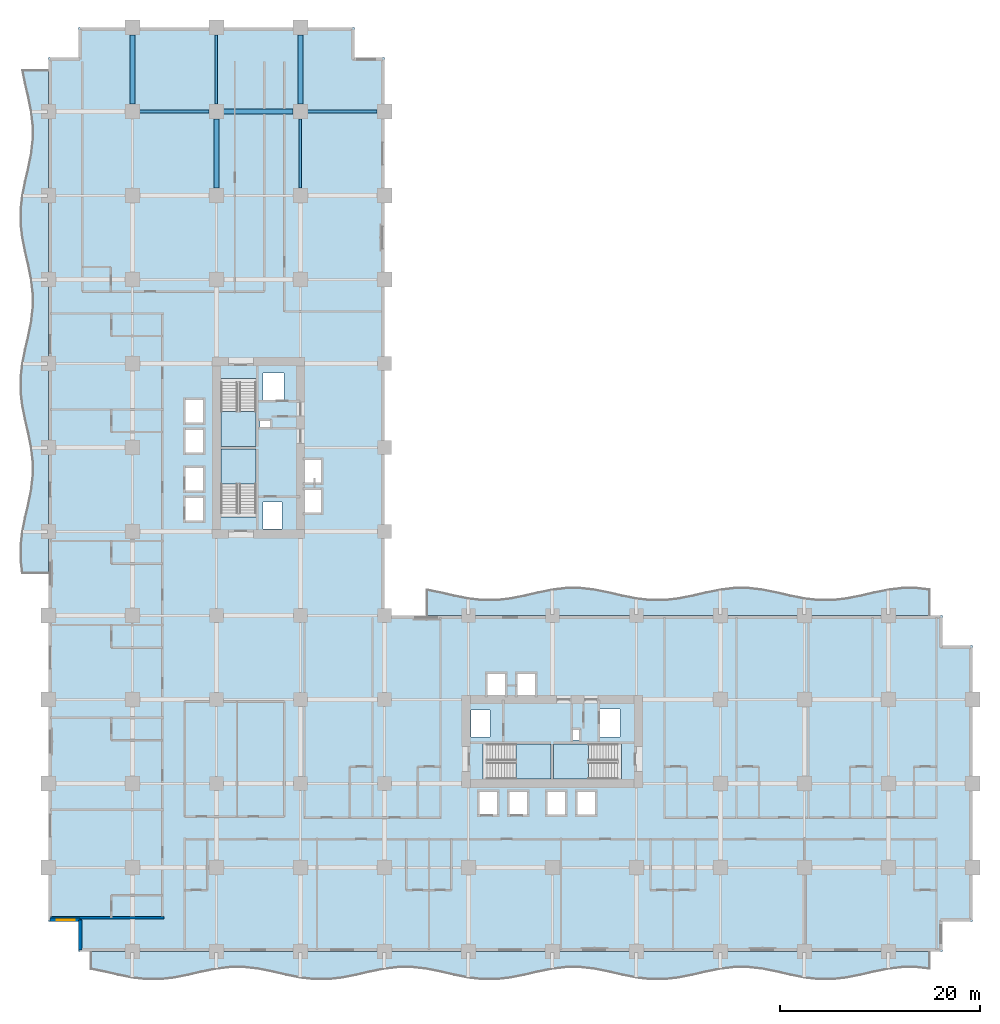
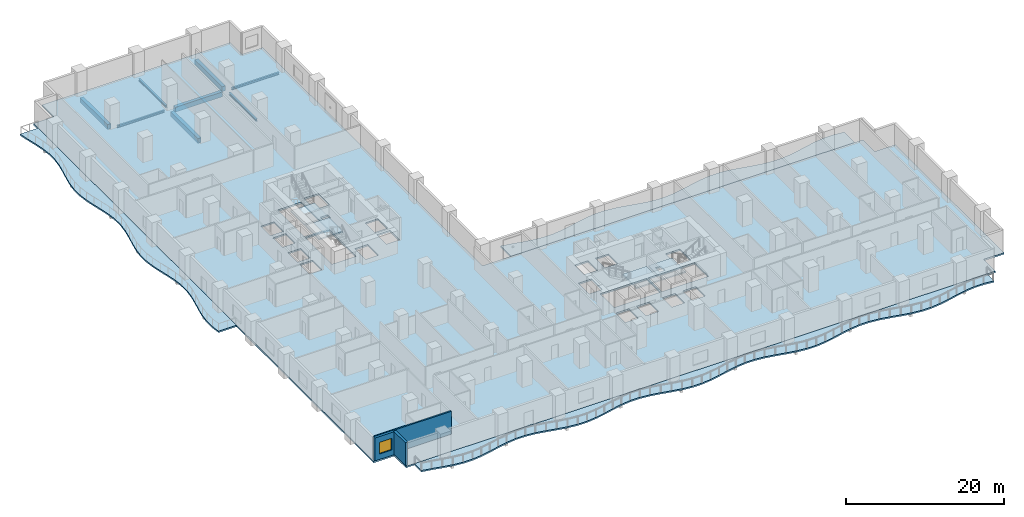
# One storey, part 3 of 22: 8 beams, 8 slabs, 3 walls, 1 window, 1 opening, 4 elements without a shape of their own.
"""IFC4 building model written with IfcOpenShell, lengths in metres."""

from ifc_helpers import new_model, si_unit, direction, frame, frame_2d, origin, origin_2d, place, context, subcontext, project, spatial, polyline, rectangle, i_section, outline, extrude, material, layer, layer_set, material_profile, profile_set, type_object, element, fill, aggregate, save


model = new_model("IFC4")

# Units and contexts
model_context = context("Model", 3, precision=1e-05, world=origin(), true_north=direction((0.0, 1.0)))
body_context = subcontext(model_context, "Body", "Model", "MODEL_VIEW")
ifc_project = project(units=[si_unit("LENGTHUNIT", "METRE"), si_unit("AREAUNIT", "SQUARE_METRE"), si_unit("VOLUMEUNIT", "CUBIC_METRE"), si_unit("PLANEANGLEUNIT", "RADIAN"), si_unit("MASSUNIT", "GRAM", prefix="KILO")], contexts=[model_context])

# Site, building, storey
site_placement = place(None, origin())
site = spatial("IfcSite", under=ifc_project, at=site_placement, CompositionType="ELEMENT")
building_placement = place(site_placement, origin())
building = spatial("IfcBuilding", under=site, at=building_placement, Name="Koriwani Terraces Tower", CompositionType="ELEMENT")
storey_placement = place(building_placement, frame((0.0, 0.0, 43.39990234375)))
storey = spatial("IfcBuildingStorey", under=building, at=storey_placement, Name="L09", CompositionType="ELEMENT", Elevation=43.39990234375)

# Beams
ifc_material_1 = material(Name="Concrete C50/60", Category="concrete")
ifc_material_profile_1 = material_profile(ifc_material_1, rectangle(XDim=0.5, YDim=0.75, at=origin_2d()), Name="Concrete C50/60", Category="LoadBearing")
ifc_profile_set_1 = profile_set([ifc_material_profile_1], Name="Concrete C50/60")
beam_type_1 = type_object("IfcBeamType", Name="BEAM_RC_GRID_500X750", PredefinedType="BEAM", material=ifc_profile_set_1)
for number, where, z_axis, x_axis, name in (
    (1, (17.530029296875, 84.0, -0.625), (1.0, 0.0, 0.0), (0.0, 1.0, 0.0), "L09 Grid Beam K (16.8-25.2m)"),
    (2, (8.39990234375, 84.72998046875, -0.625), (0.0, 1.0, 0.0), (-1.0, 0.0, 0.0), "L09 Grid Beam 2 (84.0-92.4m)"),
    (3, (16.800048828125, 76.330078125, -0.625), (0.0, 1.0, 0.0), (-1.0, 0.0, 0.0), "L09 Grid Beam 3 (75.6-84.0m)"),
    (4, (25.199951171875, 84.72998046875, -0.625), (0.0, 1.0, 0.0), (-1.0, 0.0, 0.0), "L09 Grid Beam 4 (84.0-92.4m)"),
):
    element("IfcBeam", number, at=place(storey_placement, frame(where, z_axis=z_axis, x_axis=x_axis)), inside=storey, type_object=beam_type_1, Name=name, PredefinedType="BEAM", context=body_context, shape_type="SweptSolid", body=[
        extrude(rectangle(XDim=0.5, YDim=0.75, at=origin_2d()), origin(), (0.0, 0.0, 1.0), 6.93994140625),
    ])
ifc_material_2 = material(Name="Steel ASTM A572 Grade 50", Category="steel")
ifc_material_profile_2 = material_profile(ifc_material_2, i_section(OverallWidth=0.257080078125, OverallDepth=0.363037109375, WebThickness=0.012939453125, FlangeThickness=0.021728515625, at=origin_2d()), Name="Steel ASTM A572 Grade 50", Category="LoadBearing")
ifc_profile_set_2 = profile_set([ifc_material_profile_2], Name="Steel ASTM A572 Grade 50")
beam_type_2 = type_object("IfcBeamType", Name="STEEL_BEAM_W360X122", PredefinedType="JOIST", material=ifc_profile_set_2)
for number, where, z_axis, x_axis, name in (
    (5, (9.1298828125, 84.0, -0.431396484375), (1.0, 0.0, 0.0), (0.0, 1.0, 0.0), "L09 Grid Beam K (8.4-16.8m)"),
    (6, (25.929931640625, 84.0, -0.431396484375), (1.0, 0.0, 0.0), (0.0, 1.0, 0.0), "L09 Grid Beam K (25.2-33.6m)"),
):
    element("IfcBeam", number, at=place(storey_placement, frame(where, z_axis=z_axis, x_axis=x_axis)), inside=storey, type_object=beam_type_2, Name=name, PredefinedType="JOIST", context=body_context, shape_type="SweptSolid", body=[
        extrude(i_section(OverallWidth=0.257080078125, OverallDepth=0.363037109375, WebThickness=0.012939453125, FlangeThickness=0.021728515625, at=origin_2d()), origin(), (0.0, 0.0, 1.0), 6.940185546875),
    ])
for number, where, z_axis, x_axis, name in (
    (7, (16.800048828125, 84.72998046875, -0.431396484375), (0.0, 1.0, 0.0), (-1.0, 0.0, 0.0), "L09 Grid Beam 3 (84.0-92.4m)"),
    (8, (25.199951171875, 76.330078125, -0.431396484375), (0.0, 1.0, 0.0), (-1.0, 0.0, 0.0), "L09 Grid Beam 4 (75.6-84.0m)"),
):
    element("IfcBeam", number, at=place(storey_placement, frame(where, z_axis=z_axis, x_axis=x_axis)), inside=storey, type_object=beam_type_2, Name=name, PredefinedType="JOIST", context=body_context, shape_type="SweptSolid", body=[
        extrude(i_section(OverallWidth=0.257080078125, OverallDepth=0.363037109375, WebThickness=0.012939453125, FlangeThickness=0.021728515625, at=origin_2d()), origin(), (0.0, 0.0, 1.0), 6.93994140625),
    ])

# Slabs
ifc_material_3 = material(Name="Concrete C40/50", Category="concrete")
ifc_layer_1 = layer(ifc_material_3, 0.219970703125, Name="Concrete C40/50")
ifc_layer_set_1 = layer_set([ifc_layer_1], Name="Concrete C40/50")
slab_type_1 = type_object("IfcSlabType", Name="SLAB_BALCONY_220", PredefinedType="FLOOR", material=ifc_layer_set_1)
slab_1_placement = place(storey_placement, frame((0.0, 0.0, -0.219970703125)))
element("IfcSlab", 9, at=slab_1_placement, inside=storey, type_object=slab_type_1, Name="L09 Quilted Circular-Arc Balcony (S)", PredefinedType="FLOOR", context=body_context, shape_type="SweptSolid", body=[
    extrude(outline(polyline([(4.199951171875, 0.0), (5.60009765625, 0.0), (7.0, 0.0), (8.39990234375, 0.0), (9.800048828125, 0.0), (11.199951171875, 0.0), (12.60009765625, 0.0), (14.0, 0.0), (15.39990234375, 0.0), (16.800048828125, 0.0), (18.199951171875, 0.0), (19.60009765625, 0.0), (21.0, 0.0), (22.39990234375, 0.0), (23.800048828125, 0.0), (25.199951171875, 0.0), (26.60009765625, 0.0), (28.0, 0.0), (29.39990234375, 0.0), (30.800048828125, 0.0), (32.199951171875, 0.0), (33.60009765625, 0.0), (35.0, 0.0), (36.39990234375, 0.0), (37.800048828125, 0.0), (39.199951171875, 0.0), (40.60009765625, 0.0), (42.0, 0.0), (43.39990234375, 0.0), (44.800048828125, 0.0), (46.199951171875, 0.0), (47.60009765625, 0.0), (49.0, 0.0), (50.39990234375, 0.0), (51.800048828125, 0.0), (53.199951171875, 0.0), (54.60009765625, 0.0), (56.0, 0.0), (57.39990234375, 0.0), (58.800048828125, 0.0), (60.199951171875, 0.0), (61.60009765625, 0.0), (63.0, 0.0), (64.39990234375, 0.0), (65.800048828125, 0.0), (67.199951171875, 0.0), (68.60009765625, 0.0), (70.0, 0.0), (71.39990234375, 0.0), (72.800048828125, 0.0), (74.199951171875, 0.0), (75.60009765625, 0.0), (77.0, 0.0), (78.39990234375, 0.0), (79.800048828125, 0.0), (81.199951171875, 0.0), (82.60009765625, 0.0), (84.0, 0.0), (85.39990234375, 0.0), (86.800048828125, 0.0), (88.199951171875, 0.0), (88.199951171875, -1.783203125), (86.800048828125, -1.621337890625), (85.39990234375, -1.621337890625), (84.0, -1.783203125), (82.60009765625, -2.063232421875), (81.199951171875, -2.38671875), (79.800048828125, -2.6669921875), (78.39990234375, -2.82861328125), (77.0, -2.82861328125), (75.60009765625, -2.6669921875), (74.199951171875, -2.38671875), (72.800048828125, -2.063232421875), (71.39990234375, -1.783203125), (70.0, -1.621337890625), (68.60009765625, -1.621337890625), (67.199951171875, -1.783203125), (65.800048828125, -2.063232421875), (64.39990234375, -2.38671875), (63.0, -2.6669921875), (61.60009765625, -2.82861328125), (60.199951171875, -2.82861328125), (58.800048828125, -2.6669921875), (57.39990234375, -2.38671875), (56.0, -2.063232421875), (54.60009765625, -1.783203125), (53.199951171875, -1.621337890625), (51.800048828125, -1.621337890625), (50.39990234375, -1.783203125), (49.0, -2.063232421875), (47.60009765625, -2.38671875), (46.199951171875, -2.6669921875), (44.800048828125, -2.82861328125), (43.39990234375, -2.82861328125), (42.0, -2.6669921875), (40.60009765625, -2.38671875), (39.199951171875, -2.063232421875), (37.800048828125, -1.783203125), (36.39990234375, -1.621337890625), (35.0, -1.621337890625), (33.60009765625, -1.783203125), (32.199951171875, -2.063232421875), (30.800048828125, -2.38671875), (29.39990234375, -2.6669921875), (28.0, -2.82861328125), (26.60009765625, -2.82861328125), (25.199951171875, -2.6669921875), (23.800048828125, -2.38671875), (22.39990234375, -2.063232421875), (21.0, -1.783203125), (19.60009765625, -1.621337890625), (18.199951171875, -1.621337890625), (16.800048828125, -1.783203125), (15.39990234375, -2.063232421875), (14.0, -2.38671875), (12.60009765625, -2.6669921875), (11.199951171875, -2.82861328125), (9.800048828125, -2.82861328125), (8.39990234375, -2.6669921875), (7.0, -2.38671875), (5.60009765625, -2.063232421875), (4.199951171875, -1.783203125), (4.199951171875, 0.0)])), origin(), (0.0, 0.0, 1.0), 0.219970703125),
])
slab_2_placement = place(storey_placement, frame((0.0, 0.0, -0.219970703125)))
element("IfcSlab", 10, at=slab_2_placement, inside=storey, type_object=slab_type_1, Name="L09 Quilted Circular-Arc Balcony (W)", PredefinedType="FLOOR", context=body_context, shape_type="SweptSolid", body=[
    extrude(outline(polyline([(0.0, 37.800048828125), (0.0, 39.199951171875), (0.0, 40.60009765625), (0.0, 42.0), (0.0, 43.39990234375), (0.0, 44.800048828125), (0.0, 46.199951171875), (0.0, 47.60009765625), (0.0, 49.0), (0.0, 50.39990234375), (0.0, 51.800048828125), (0.0, 53.199951171875), (0.0, 54.60009765625), (0.0, 56.0), (0.0, 57.39990234375), (0.0, 58.800048828125), (0.0, 60.199951171875), (0.0, 61.60009765625), (0.0, 63.0), (0.0, 64.39990234375), (0.0, 65.800048828125), (0.0, 67.199951171875), (0.0, 68.60009765625), (0.0, 70.0), (0.0, 71.39990234375), (0.0, 72.800048828125), (0.0, 74.199951171875), (0.0, 75.60009765625), (0.0, 77.0), (0.0, 78.39990234375), (0.0, 79.800048828125), (0.0, 81.199951171875), (0.0, 82.60009765625), (0.0, 84.0), (0.0, 85.39990234375), (0.0, 86.800048828125), (0.0, 88.199951171875), (-2.6669921875, 88.199951171875), (-2.38671875, 86.800048828125), (-2.063232421875, 85.39990234375), (-1.783203125, 84.0), (-1.621337890625, 82.60009765625), (-1.621337890625, 81.199951171875), (-1.783203125, 79.800048828125), (-2.063232421875, 78.39990234375), (-2.38671875, 77.0), (-2.6669921875, 75.60009765625), (-2.82861328125, 74.199951171875), (-2.82861328125, 72.800048828125), (-2.6669921875, 71.39990234375), (-2.38671875, 70.0), (-2.063232421875, 68.60009765625), (-1.783203125, 67.199951171875), (-1.621337890625, 65.800048828125), (-1.621337890625, 64.39990234375), (-1.783203125, 63.0), (-2.063232421875, 61.60009765625), (-2.38671875, 60.199951171875), (-2.6669921875, 58.800048828125), (-2.82861328125, 57.39990234375), (-2.82861328125, 56.0), (-2.6669921875, 54.60009765625), (-2.38671875, 53.199951171875), (-2.063232421875, 51.800048828125), (-1.783203125, 50.39990234375), (-1.621337890625, 49.0), (-1.621337890625, 47.60009765625), (-1.783203125, 46.199951171875), (-2.063232421875, 44.800048828125), (-2.38671875, 43.39990234375), (-2.6669921875, 42.0), (-2.82861328125, 40.60009765625), (-2.82861328125, 39.199951171875), (-2.6669921875, 37.800048828125), (0.0, 37.800048828125)])), origin(), (0.0, 0.0, 1.0), 0.219970703125),
])
slab_3_placement = place(storey_placement, frame((0.0, 0.0, -0.219970703125)))
element("IfcSlab", 11, at=slab_3_placement, inside=storey, type_object=slab_type_1, Name="L09 Quilted Circular-Arc Balcony (NE)", PredefinedType="FLOOR", context=body_context, shape_type="SweptSolid", body=[
    extrude(outline(polyline([(88.199951171875, 33.60009765625), (86.800048828125, 33.60009765625), (85.39990234375, 33.60009765625), (84.0, 33.60009765625), (82.60009765625, 33.60009765625), (81.199951171875, 33.60009765625), (79.800048828125, 33.60009765625), (78.39990234375, 33.60009765625), (77.0, 33.60009765625), (75.60009765625, 33.60009765625), (74.199951171875, 33.60009765625), (72.800048828125, 33.60009765625), (71.39990234375, 33.60009765625), (70.0, 33.60009765625), (68.60009765625, 33.60009765625), (67.199951171875, 33.60009765625), (65.800048828125, 33.60009765625), (64.39990234375, 33.60009765625), (63.0, 33.60009765625), (61.60009765625, 33.60009765625), (60.199951171875, 33.60009765625), (58.800048828125, 33.60009765625), (57.39990234375, 33.60009765625), (56.0, 33.60009765625), (54.60009765625, 33.60009765625), (53.199951171875, 33.60009765625), (51.800048828125, 33.60009765625), (50.39990234375, 33.60009765625), (49.0, 33.60009765625), (47.60009765625, 33.60009765625), (46.199951171875, 33.60009765625), (44.800048828125, 33.60009765625), (43.39990234375, 33.60009765625), (42.0, 33.60009765625), (40.60009765625, 33.60009765625), (39.199951171875, 33.60009765625), (37.800048828125, 33.60009765625), (37.800048828125, 36.266845703125), (39.199951171875, 35.98681640625), (40.60009765625, 35.6630859375), (42.0, 35.383056640625), (43.39990234375, 35.22119140625), (44.800048828125, 35.22119140625), (46.199951171875, 35.383056640625), (47.60009765625, 35.6630859375), (49.0, 35.98681640625), (50.39990234375, 36.266845703125), (51.800048828125, 36.4287109375), (53.199951171875, 36.4287109375), (54.60009765625, 36.266845703125), (56.0, 35.98681640625), (57.39990234375, 35.6630859375), (58.800048828125, 35.383056640625), (60.199951171875, 35.22119140625), (61.60009765625, 35.22119140625), (63.0, 35.383056640625), (64.39990234375, 35.6630859375), (65.800048828125, 35.98681640625), (67.199951171875, 36.266845703125), (68.60009765625, 36.4287109375), (70.0, 36.4287109375), (71.39990234375, 36.266845703125), (72.800048828125, 35.98681640625), (74.199951171875, 35.6630859375), (75.60009765625, 35.383056640625), (77.0, 35.22119140625), (78.39990234375, 35.22119140625), (79.800048828125, 35.383056640625), (81.199951171875, 35.6630859375), (82.60009765625, 35.98681640625), (84.0, 36.266845703125), (85.39990234375, 36.4287109375), (86.800048828125, 36.4287109375), (88.199951171875, 36.266845703125), (88.199951171875, 33.60009765625)])), origin(), (0.0, 0.0, 1.0), 0.219970703125),
])

# Stair, slab
stair_type = type_object("IfcStairType", Name="STAIR_CORE_DOGLEG_1650", PredefinedType="TWO_STRAIGHT_RUN_STAIR", material=ifc_material_3)
stair_1_placement = place(storey_placement, origin())
stair_1 = element("IfcStair", 12, at=stair_1_placement, inside=storey, type_object=stair_type, Name="L09 West Core Exit Stair 1", PredefinedType="HALF_TURN_STAIR")
ifc_layer_2 = layer(ifc_material_3, 0.199951171875, Name="Concrete C40/50")
ifc_layer_set_2 = layer_set([ifc_layer_2], Name="Concrete C40/50")
slab_type_2 = type_object("IfcSlabType", Name="SLAB_STAIR_LANDING_200", PredefinedType="LANDING", material=ifc_layer_set_2)
slab_4_placement = place(storey_placement, frame((0.0, 0.0, 1.7001953125)))
slab_4 = element("IfcSlab", 13, at=slab_4_placement, type_object=slab_type_2, Name="ST-W1 landing 1", PredefinedType="LANDING", context=body_context, shape_type="SweptSolid", body=[
    extrude(outline(polyline([(20.75, 46.75), (20.75, 50.25), (17.25, 50.25), (17.25, 46.75), (20.75, 46.75)])), origin(), (0.0, 0.0, 1.0), 0.199951171875),
])
aggregate(stair_1, [slab_4])

stair_2_placement = place(storey_placement, origin())
stair_2 = element("IfcStair", 14, at=stair_2_placement, inside=storey, type_object=stair_type, Name="L09 West Core Exit Stair 2", PredefinedType="HALF_TURN_STAIR")
slab_5_placement = place(storey_placement, frame((0.0, 0.0, 1.7001953125)))
slab_5 = element("IfcSlab", 15, at=slab_5_placement, type_object=slab_type_2, Name="ST-W2 landing 1", PredefinedType="LANDING", context=body_context, shape_type="SweptSolid", body=[
    extrude(outline(polyline([(17.25, 54.0), (17.25, 50.5), (20.75, 50.5), (20.75, 54.0), (17.25, 54.0)])), origin(), (0.0, 0.0, 1.0), 0.199951171875),
])
aggregate(stair_2, [slab_5])

stair_3_placement = place(storey_placement, origin())
stair_3 = element("IfcStair", 16, at=stair_3_placement, inside=storey, type_object=stair_type, Name="L09 East Core Exit Stair 1", PredefinedType="HALF_TURN_STAIR")
slab_6_placement = place(storey_placement, frame((0.0, 0.0, 1.7001953125)))
slab_6 = element("IfcSlab", 17, at=slab_6_placement, type_object=slab_type_2, Name="ST-E1 landing 1", PredefinedType="LANDING", context=body_context, shape_type="SweptSolid", body=[
    extrude(outline(polyline([(46.75, 17.25), (50.25, 17.25), (50.25, 20.75), (46.75, 20.75), (46.75, 17.25)])), origin(), (0.0, 0.0, 1.0), 0.199951171875),
])
aggregate(stair_3, [slab_6])

stair_4_placement = place(storey_placement, origin())
stair_4 = element("IfcStair", 18, at=stair_4_placement, inside=storey, type_object=stair_type, Name="L09 East Core Exit Stair 2", PredefinedType="HALF_TURN_STAIR")
slab_7_placement = place(storey_placement, frame((0.0, 0.0, 1.7001953125)))
slab_7 = element("IfcSlab", 19, at=slab_7_placement, type_object=slab_type_2, Name="ST-E2 landing 1", PredefinedType="LANDING", context=body_context, shape_type="SweptSolid", body=[
    extrude(outline(polyline([(54.0, 20.75), (50.5, 20.75), (50.5, 17.25), (54.0, 17.25), (54.0, 20.75)])), origin(), (0.0, 0.0, 1.0), 0.199951171875),
])
aggregate(stair_4, [slab_7])

# Slab
ifc_layer_3 = layer(ifc_material_3, 0.25, Name="Concrete C40/50")
ifc_layer_set_3 = layer_set([ifc_layer_3], Name="Concrete C40/50")
slab_type_3 = type_object("IfcSlabType", Name="SLAB_TOWER_TYP_250", PredefinedType="FLOOR", material=ifc_layer_set_3)
slab_8_placement = place(storey_placement, frame((0.0, 0.0, -0.25)))
element("IfcSlab", 20, at=slab_8_placement, inside=storey, type_object=slab_type_3, Name="L09 Structural Floor Slab", PredefinedType="FLOOR", context=body_context, shape_type="SweptSolid", body=[
    extrude(outline(polyline([(3.0, 0.0), (89.39990234375, 0.0), (89.39990234375, 3.0), (92.39990234375, 3.0), (92.39990234375, 30.60009765625), (89.39990234375, 30.60009765625), (89.39990234375, 33.60009765625), (33.60009765625, 33.60009765625), (33.60009765625, 89.39990234375), (30.60009765625, 89.39990234375), (30.60009765625, 92.39990234375), (3.0, 92.39990234375), (3.0, 89.39990234375), (0.0, 89.39990234375), (0.0, 3.0), (3.0, 3.0), (3.0, 0.0)]), holes=[polyline([(17.25, 43.4599609375), (20.75, 43.4599609375), (20.75, 50.25), (17.25, 50.25), (17.25, 43.4599609375)]), polyline([(17.25, 50.5), (20.75, 50.5), (20.75, 57.2900390625), (17.25, 57.2900390625), (17.25, 50.5)]), polyline([(43.4599609375, 17.25), (50.25, 17.25), (50.25, 20.75), (43.4599609375, 20.75), (43.4599609375, 17.25)]), polyline([(50.5, 17.25), (57.2900390625, 17.25), (57.2900390625, 20.75), (50.5, 20.75), (50.5, 17.25)]), polyline([(13.64990234375, 43.050048828125), (15.550048828125, 43.050048828125), (15.550048828125, 45.449951171875), (13.64990234375, 45.449951171875), (13.64990234375, 43.050048828125)]), polyline([(13.64990234375, 46.050048828125), (15.550048828125, 46.050048828125), (15.550048828125, 48.449951171875), (13.64990234375, 48.449951171875), (13.64990234375, 46.050048828125)]), polyline([(43.050048828125, 13.64990234375), (44.949951171875, 13.64990234375), (44.949951171875, 16.050048828125), (43.050048828125, 16.050048828125), (43.050048828125, 13.64990234375)]), polyline([(46.050048828125, 13.64990234375), (47.949951171875, 13.64990234375), (47.949951171875, 16.050048828125), (46.050048828125, 16.050048828125), (46.050048828125, 13.64990234375)]), polyline([(13.64990234375, 49.85009765625), (15.550048828125, 49.85009765625), (15.550048828125, 52.25), (13.64990234375, 52.25), (13.64990234375, 49.85009765625)]), polyline([(13.64990234375, 52.85009765625), (15.550048828125, 52.85009765625), (15.550048828125, 55.25), (13.64990234375, 55.25), (13.64990234375, 52.85009765625)]), polyline([(49.85009765625, 13.64990234375), (51.75, 13.64990234375), (51.75, 16.050048828125), (49.85009765625, 16.050048828125), (49.85009765625, 13.64990234375)]), polyline([(52.85009765625, 13.64990234375), (54.75, 13.64990234375), (54.75, 16.050048828125), (52.85009765625, 16.050048828125), (52.85009765625, 13.64990234375)]), polyline([(25.449951171875, 43.85009765625), (27.35009765625, 43.85009765625), (27.35009765625, 46.25), (25.449951171875, 46.25), (25.449951171875, 43.85009765625)]), polyline([(25.449951171875, 46.85009765625), (27.35009765625, 46.85009765625), (27.35009765625, 49.25), (25.449951171875, 49.25), (25.449951171875, 46.85009765625)]), polyline([(43.85009765625, 25.449951171875), (45.75, 25.449951171875), (45.75, 27.85009765625), (43.85009765625, 27.85009765625), (43.85009765625, 25.449951171875)]), polyline([(46.85009765625, 25.449951171875), (48.75, 25.449951171875), (48.75, 27.85009765625), (46.85009765625, 27.85009765625), (46.85009765625, 25.449951171875)]), polyline([(21.449951171875, 55.050048828125), (23.550048828125, 55.050048828125), (23.550048828125, 57.85009765625), (21.449951171875, 57.85009765625), (21.449951171875, 55.050048828125)]), polyline([(55.050048828125, 21.449951171875), (57.14990234375, 21.449951171875), (57.14990234375, 24.25), (55.050048828125, 24.25), (55.050048828125, 21.449951171875)]), polyline([(21.449951171875, 42.25), (23.35009765625, 42.25), (23.35009765625, 44.949951171875), (21.449951171875, 44.949951171875), (21.449951171875, 42.25)]), polyline([(42.25, 21.449951171875), (44.14990234375, 21.449951171875), (44.14990234375, 24.14990234375), (42.25, 24.14990234375), (42.25, 21.449951171875)]), polyline([(21.14990234375, 52.419921875), (22.219970703125, 52.419921875), (22.219970703125, 53.179931640625), (21.14990234375, 53.179931640625), (21.14990234375, 52.419921875)]), polyline([(52.419921875, 21.14990234375), (53.179931640625, 21.14990234375), (53.179931640625, 22.219970703125), (52.419921875, 22.219970703125), (52.419921875, 21.14990234375)])]), origin(), (0.0, 0.0, 1.0), 0.25),
])

# Walls
ifc_material_4 = material(Name="Autoclaved Cellular Concrete Blockwork", Category="masonry")
ifc_layer_4 = layer(ifc_material_4, 0.219970703125, Name="Autoclaved Cellular Concrete Blockwork")
ifc_layer_set_4 = layer_set([ifc_layer_4], Name="Autoclaved Cellular Concrete Blockwork")
wall_type_1 = type_object("IfcWallType", Name="WALL_DEMISING_220", PredefinedType="PARTITIONING", material=ifc_layer_set_4)
wall_1_placement = place(storey_placement, frame((0.199951171875, 3.39990234375, 0.0), z_axis=(0.0, 0.0, 1.0), x_axis=(1.0, 0.0, 0.0)))
element("IfcWall", 21, at=wall_1_placement, inside=storey, type_object=wall_type_1, Name="L09 Interior Wall WDEM-L09-NW-0", PredefinedType="PARTITIONING", context=body_context, shape_type="SweptSolid", body=[
    extrude(rectangle(XDim=11.380126953125, YDim=0.219970703125, at=frame_2d((5.68994140625, 0.0))), origin(), (0.0, 0.0, 1.0), 3.550048828125),
])
ifc_layer_5 = layer(ifc_material_1, 0.35009765625, Name="Concrete C50/60")
ifc_layer_set_5 = layer_set([ifc_layer_5], Name="Concrete C50/60")
wall_type_2 = type_object("IfcWallType", Name="WALL_EXT_BRUTALIST_350", PredefinedType="STANDARD", material=ifc_layer_set_5)
wall_2_placement = place(storey_placement, frame((3.175048828125, 0.175048828125, 0.0), z_axis=(0.0, 0.0, 1.0), x_axis=(0.0, 1.0, 0.0)))
element("IfcWall", 22, at=wall_2_placement, inside=storey, type_object=wall_type_2, Name="L09 Fair-Faced Brutalist Exterior Wall (N0)", PredefinedType="STANDARD", context=body_context, shape_type="SweptSolid", body=[
    extrude(rectangle(XDim=3.0, YDim=0.35009765625, at=frame_2d((1.5, 0.0))), origin(), (0.0, 0.0, 1.0), 3.550048828125),
])

# Wall, opening, window
wall_3_placement = place(storey_placement, frame((3.175048828125, 3.175048828125, 0.0), z_axis=(0.0, 0.0, 1.0), x_axis=(-1.0, 0.0, 0.0)))
wall_3 = element("IfcWall", 23, at=wall_3_placement, inside=storey, type_object=wall_type_2, Name="L09 Fair-Faced Brutalist Exterior Wall (N1)", PredefinedType="STANDARD", context=body_context, shape_type="SweptSolid", body=[
    extrude(rectangle(XDim=3.0, YDim=0.35009765625, at=frame_2d((1.5, 0.0))), origin(), (0.0, 0.0, 1.0), 3.550048828125),
])
opening_placement = place(wall_3_placement, frame((0.5224609375, 0.0, 0.85009765625)))
opening = element("IfcOpeningElement", 24, at=opening_placement, cuts=wall_3, Name="Opening W-04", PredefinedType="OPENING", context=body_context, shape_type="SweptSolid", body=[
    extrude(rectangle(XDim=1.800048828125, YDim=1.800048828125, at=frame_2d((0.89990234375, 0.89990234375))), frame((0.0, 0.18505859375, 0.0), z_axis=(0.0, -1.0, 0.0), x_axis=(1.0, 0.0, 0.0)), (0.0, 0.0, 1.0), 0.3701171875),
])
ifc_material_5 = material(Name="Tempered Laminated Low-E Glass", Category="glass")
window_type = type_object("IfcWindowType", Name="WIN_RES_BED_1800X1800", PartitioningType="DOUBLE_PANEL_VERTICAL", PredefinedType="WINDOW", material=ifc_material_5)
window_placement = place(opening_placement, origin())
window = element("IfcWindow", 25, at=window_placement, inside=storey, type_object=window_type, Name="L09 Exterior Window (N1-R35)", OverallHeight=1.800048828125, OverallWidth=1.800048828125, PartitioningType="SINGLE_PANEL", PredefinedType="WINDOW", context=body_context, shape_type="SweptSolid", body=[
    extrude(rectangle(XDim=1.800048828125, YDim=1.800048828125, at=frame_2d((0.89990234375, 0.89990234375))), frame((0.0, 0.030029296875, 0.0), z_axis=(0.0, -1.0, 0.0), x_axis=(1.0, 0.0, 0.0)), (0.0, 0.0, 1.0), 0.06005859375),
])
fill(opening, window)

save(model, "model.ifc")
